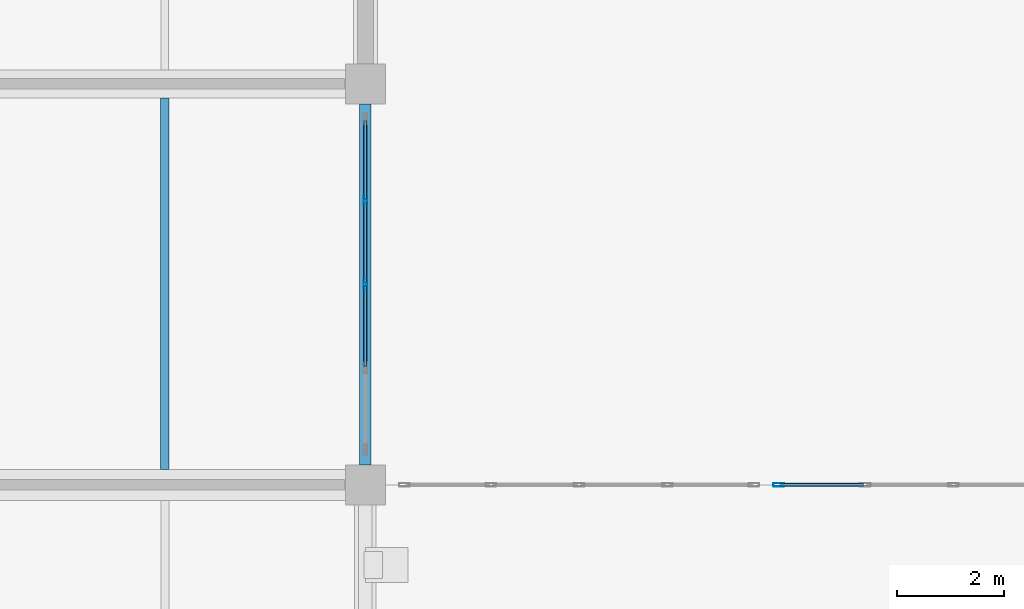
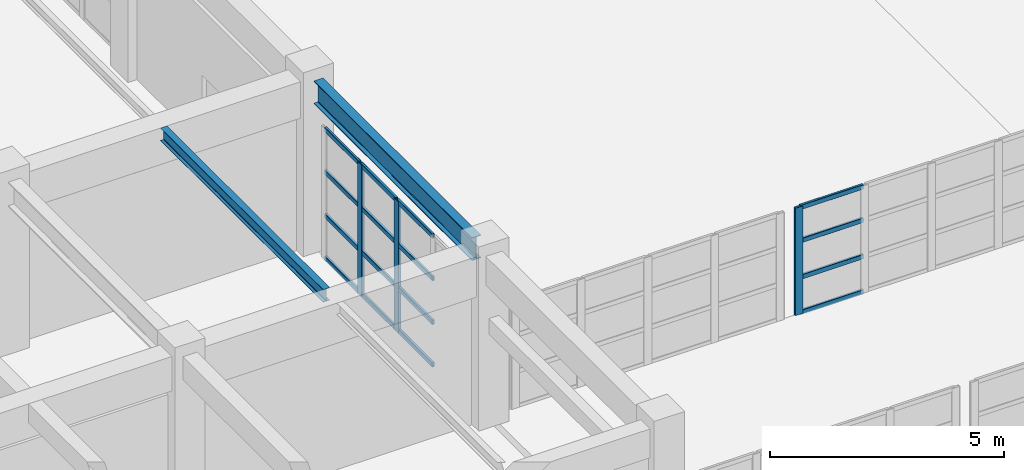
# One storey, part 38 of 122: 19 members, 2 beams, 2 elements without a shape of their own.
"""IFC4 building model written with IfcOpenShell, lengths in metres."""

from ifc_helpers import new_model, si_unit, direction, frame, origin, origin_2d, place, context, subcontext, project, spatial, hollow_rectangle, i_section, extrude, material, material_profile, profile_set, type_object, element, aggregate, save


model = new_model("IFC4")

# Units and contexts
model_context = context("Model", 3, precision=1e-05, world=origin(), true_north=direction((0.0, 1.0)))
body_context = subcontext(model_context, "Body", "Model", "MODEL_VIEW")
ifc_project = project(units=[si_unit("LENGTHUNIT", "METRE"), si_unit("AREAUNIT", "SQUARE_METRE"), si_unit("VOLUMEUNIT", "CUBIC_METRE"), si_unit("PLANEANGLEUNIT", "RADIAN"), si_unit("MASSUNIT", "GRAM", prefix="KILO")], contexts=[model_context])

# Site, building, storey
site_placement = place(None, origin())
site = spatial("IfcSite", under=ifc_project, at=site_placement, CompositionType="ELEMENT")
building_placement = place(site_placement, origin())
building = spatial("IfcBuilding", under=site, at=building_placement, Name="Qasida Concert Hall", CompositionType="ELEMENT")
storey_placement = place(building_placement, origin())
storey = spatial("IfcBuildingStorey", under=building, at=storey_placement, Name="L00", CompositionType="ELEMENT", Elevation=0.0)

# Beams
ifc_material_1 = material(Name="Steel S355J2", Category="steel")
ifc_material_profile_1 = material_profile(ifc_material_1, i_section(OverallWidth=0.159912109375, OverallDepth=0.330078125, WebThickness=0.007568359375, FlangeThickness=0.011474609375, FilletRadius=0.01806640625, at=origin_2d()), Name="IPE 330")
ifc_profile_set_1 = profile_set([ifc_material_profile_1], Name="Steel S355J2")
beam_type_1 = type_object("IfcBeamType", Name="BM-J5", PredefinedType="JOIST", material=ifc_profile_set_1)
beam_1_placement = place(storey_placement, frame((33.75, 82.7900390625, 4.3349609375), z_axis=(0.0, 1.0, 0.0), x_axis=(-1.0, 0.0, 0.0)))
element("IfcBeam", 1, at=beam_1_placement, inside=storey, type_object=beam_type_1, Name="L00 secondary joist 0756", PredefinedType="JOIST", context=body_context, shape_type="SweptSolid", body=[
    extrude(i_section(OverallWidth=0.159912109375, OverallDepth=0.330078125, WebThickness=0.007568359375, FlangeThickness=0.011474609375, FilletRadius=0.01806640625, at=origin_2d()), origin(), (0.0, 0.0, 1.0), 6.949951171875),
])
ifc_material_profile_2 = material_profile(ifc_material_1, i_section(OverallWidth=0.219970703125, OverallDepth=0.60009765625, WebThickness=0.011962890625, FlangeThickness=0.01904296875, FilletRadius=0.02392578125, at=origin_2d()), Name="IPE 600")
ifc_profile_set_2 = profile_set([ifc_material_profile_2], Name="Steel S355J2")
beam_type_2 = type_object("IfcBeamType", Name="BM-SP3", PredefinedType="SPANDREL", material=ifc_profile_set_2)
beam_2_placement = place(storey_placement, frame((37.5, 82.875, 4.199951171875), z_axis=(0.0, 1.0, 0.0), x_axis=(-1.0, 0.0, 0.0)))
element("IfcBeam", 2, at=beam_2_placement, inside=storey, type_object=beam_type_2, Name="L00 girder 0733", PredefinedType="SPANDREL", context=body_context, shape_type="SweptSolid", body=[
    extrude(i_section(OverallWidth=0.219970703125, OverallDepth=0.60009765625, WebThickness=0.011962890625, FlangeThickness=0.01904296875, FilletRadius=0.02392578125, at=origin_2d()), origin(), (0.0, 0.0, 1.0), 6.75),
])

# Curtain wall, members
ifc_material_2 = material(Name="Architectural bronze-anodized aluminium and low-E glass", Category="aluminium")
curtain_wall_type = type_object("IfcCurtainWallType", Name="CW-08", PredefinedType="NOTDEFINED", material=ifc_material_2)
curtain_wall_1_placement = place(storey_placement, origin())
curtain_wall_1 = element("IfcCurtainWall", 3, at=curtain_wall_1_placement, inside=storey, type_object=curtain_wall_type, Name="L00 curtain wall CW-08 0182", PredefinedType="NOTDEFINED")
ifc_material_3 = material(Name="Architectural bronze-anodized aluminium EN AW-6063", Category="aluminium")
ifc_material_profile_3 = material_profile(ifc_material_3, hollow_rectangle(XDim=0.06494140625, YDim=0.199951171875, WallThickness=0.0048828125, InnerFilletRadius=0.0048828125, OuterFilletRadius=0.010009765625, at=origin_2d()), Name="CWM 200x65x5")
ifc_profile_set_3 = profile_set([ifc_material_profile_3], Name="Architectural bronze-anodized aluminium EN AW-6063")
member_type_1 = type_object("IfcMemberType", Name="MB-CWM-2", PredefinedType="MULLION", material=ifc_profile_set_3)
member_1_placement = place(storey_placement, frame((37.5, 86.25, 0.0), z_axis=(0.0, 0.0, 1.0), x_axis=(-1.0, 0.0, 0.0)))
member_1 = element("IfcMember", 4, at=member_1_placement, type_object=member_type_1, Name="CW-08 mullion 3", PredefinedType="MULLION", context=body_context, shape_type="SweptSolid", body=[
    extrude(hollow_rectangle(XDim=0.06494140625, YDim=0.199951171875, WallThickness=0.0048828125, InnerFilletRadius=0.0048828125, OuterFilletRadius=0.010009765625, at=origin_2d()), origin(), (0.0, 0.0, 1.0), 3.419921875),
])
member_2_placement = place(storey_placement, frame((37.5, 87.81494140625, 0.0), z_axis=(0.0, 0.0, 1.0), x_axis=(-1.0, 0.0, 0.0)))
member_2 = element("IfcMember", 5, at=member_2_placement, type_object=member_type_1, Name="CW-08 mullion 4", PredefinedType="MULLION", context=body_context, shape_type="SweptSolid", body=[
    extrude(hollow_rectangle(XDim=0.06494140625, YDim=0.199951171875, WallThickness=0.0048828125, InnerFilletRadius=0.0048828125, OuterFilletRadius=0.010009765625, at=origin_2d()), origin(), (0.0, 0.0, 1.0), 3.419921875),
])

# Curtain wall, member
curtain_wall_2_placement = place(storey_placement, origin())
curtain_wall_2 = element("IfcCurtainWall", 6, at=curtain_wall_2_placement, inside=storey, type_object=curtain_wall_type, Name="L00 link bridge glazing 0213", PredefinedType="NOTDEFINED")
member_3_placement = place(storey_placement, frame((45.232421875, 82.5, 0.0), z_axis=(0.0, 0.0, 1.0), x_axis=(0.0, 1.0, 0.0)))
member_3 = element("IfcMember", 7, at=member_3_placement, type_object=member_type_1, Name="CW-08 mullion 1", PredefinedType="MULLION", context=body_context, shape_type="SweptSolid", body=[
    extrude(hollow_rectangle(XDim=0.06494140625, YDim=0.199951171875, WallThickness=0.0048828125, InnerFilletRadius=0.0048828125, OuterFilletRadius=0.010009765625, at=origin_2d()), origin(), (0.0, 0.0, 1.0), 2.800048828125),
])

# Member
ifc_material_profile_4 = material_profile(ifc_material_3, hollow_rectangle(XDim=0.06005859375, YDim=0.1201171875, WallThickness=0.00390625, InnerFilletRadius=0.00390625, OuterFilletRadius=0.008056640625, at=origin_2d()), Name="CWT 120x60x4")
ifc_profile_set_4 = profile_set([ifc_material_profile_4], Name="Architectural bronze-anodized aluminium EN AW-6063")
member_type_2 = type_object("IfcMemberType", Name="MB-CWT-2", PredefinedType="USERDEFINED", material=ifc_profile_set_4)
member_4_placement = place(storey_placement, frame((37.5, 84.717529296875, 0.030029296875), z_axis=(0.0, 1.0, 0.0), x_axis=(-1.0, 0.0, 0.0)))
member_4 = element("IfcMember", 8, at=member_4_placement, type_object=member_type_2, Name="CW-08 transom 2.1", ObjectType="TRANSOM", PredefinedType="USERDEFINED", context=body_context, shape_type="SweptSolid", body=[
    extrude(hollow_rectangle(XDim=0.06005859375, YDim=0.1201171875, WallThickness=0.00390625, InnerFilletRadius=0.00390625, OuterFilletRadius=0.008056640625, at=origin_2d()), origin(), (0.0, 0.0, 1.0), 1.5),
])

member_5_placement = place(storey_placement, frame((37.5, 84.717529296875, 1.139892578125), z_axis=(0.0, 1.0, 0.0), x_axis=(-1.0, 0.0, 0.0)))
member_5 = element("IfcMember", 9, at=member_5_placement, type_object=member_type_2, Name="CW-08 transom 2.2", ObjectType="TRANSOM", PredefinedType="USERDEFINED", context=body_context, shape_type="SweptSolid", body=[
    extrude(hollow_rectangle(XDim=0.06005859375, YDim=0.1201171875, WallThickness=0.00390625, InnerFilletRadius=0.00390625, OuterFilletRadius=0.008056640625, at=origin_2d()), origin(), (0.0, 0.0, 1.0), 1.5),
])

member_6_placement = place(storey_placement, frame((37.5, 84.717529296875, 2.280029296875), z_axis=(0.0, 1.0, 0.0), x_axis=(-1.0, 0.0, 0.0)))
member_6 = element("IfcMember", 10, at=member_6_placement, type_object=member_type_2, Name="CW-08 transom 2.3", ObjectType="TRANSOM", PredefinedType="USERDEFINED", context=body_context, shape_type="SweptSolid", body=[
    extrude(hollow_rectangle(XDim=0.06005859375, YDim=0.1201171875, WallThickness=0.00390625, InnerFilletRadius=0.00390625, OuterFilletRadius=0.008056640625, at=origin_2d()), origin(), (0.0, 0.0, 1.0), 1.5),
])

member_7_placement = place(storey_placement, frame((37.5, 84.717529296875, 3.389892578125), z_axis=(0.0, 1.0, 0.0), x_axis=(-1.0, 0.0, 0.0)))
member_7 = element("IfcMember", 11, at=member_7_placement, type_object=member_type_2, Name="CW-08 transom 2.4", ObjectType="TRANSOM", PredefinedType="USERDEFINED", context=body_context, shape_type="SweptSolid", body=[
    extrude(hollow_rectangle(XDim=0.06005859375, YDim=0.1201171875, WallThickness=0.00390625, InnerFilletRadius=0.00390625, OuterFilletRadius=0.008056640625, at=origin_2d()), origin(), (0.0, 0.0, 1.0), 1.5),
])

member_8_placement = place(storey_placement, frame((37.5, 86.282470703125, 0.030029296875), z_axis=(0.0, 1.0, 0.0), x_axis=(-1.0, 0.0, 0.0)))
member_8 = element("IfcMember", 12, at=member_8_placement, type_object=member_type_2, Name="CW-08 transom 3.1", ObjectType="TRANSOM", PredefinedType="USERDEFINED", context=body_context, shape_type="SweptSolid", body=[
    extrude(hollow_rectangle(XDim=0.06005859375, YDim=0.1201171875, WallThickness=0.00390625, InnerFilletRadius=0.00390625, OuterFilletRadius=0.008056640625, at=origin_2d()), origin(), (0.0, 0.0, 1.0), 1.5),
])

member_9_placement = place(storey_placement, frame((37.5, 86.282470703125, 1.139892578125), z_axis=(0.0, 1.0, 0.0), x_axis=(-1.0, 0.0, 0.0)))
member_9 = element("IfcMember", 13, at=member_9_placement, type_object=member_type_2, Name="CW-08 transom 3.2", ObjectType="TRANSOM", PredefinedType="USERDEFINED", context=body_context, shape_type="SweptSolid", body=[
    extrude(hollow_rectangle(XDim=0.06005859375, YDim=0.1201171875, WallThickness=0.00390625, InnerFilletRadius=0.00390625, OuterFilletRadius=0.008056640625, at=origin_2d()), origin(), (0.0, 0.0, 1.0), 1.5),
])

member_10_placement = place(storey_placement, frame((37.5, 86.282470703125, 2.280029296875), z_axis=(0.0, 1.0, 0.0), x_axis=(-1.0, 0.0, 0.0)))
member_10 = element("IfcMember", 14, at=member_10_placement, type_object=member_type_2, Name="CW-08 transom 3.3", ObjectType="TRANSOM", PredefinedType="USERDEFINED", context=body_context, shape_type="SweptSolid", body=[
    extrude(hollow_rectangle(XDim=0.06005859375, YDim=0.1201171875, WallThickness=0.00390625, InnerFilletRadius=0.00390625, OuterFilletRadius=0.008056640625, at=origin_2d()), origin(), (0.0, 0.0, 1.0), 1.5),
])

member_11_placement = place(storey_placement, frame((37.5, 86.282470703125, 3.389892578125), z_axis=(0.0, 1.0, 0.0), x_axis=(-1.0, 0.0, 0.0)))
member_11 = element("IfcMember", 15, at=member_11_placement, type_object=member_type_2, Name="CW-08 transom 3.4", ObjectType="TRANSOM", PredefinedType="USERDEFINED", context=body_context, shape_type="SweptSolid", body=[
    extrude(hollow_rectangle(XDim=0.06005859375, YDim=0.1201171875, WallThickness=0.00390625, InnerFilletRadius=0.00390625, OuterFilletRadius=0.008056640625, at=origin_2d()), origin(), (0.0, 0.0, 1.0), 1.5),
])

member_12_placement = place(storey_placement, frame((37.5, 87.847412109375, 0.030029296875), z_axis=(0.0, 1.0, 0.0), x_axis=(-1.0, 0.0, 0.0)))
member_12 = element("IfcMember", 16, at=member_12_placement, type_object=member_type_2, Name="CW-08 transom 4.1", ObjectType="TRANSOM", PredefinedType="USERDEFINED", context=body_context, shape_type="SweptSolid", body=[
    extrude(hollow_rectangle(XDim=0.06005859375, YDim=0.1201171875, WallThickness=0.00390625, InnerFilletRadius=0.00390625, OuterFilletRadius=0.008056640625, at=origin_2d()), origin(), (0.0, 0.0, 1.0), 1.467529296875),
])

member_13_placement = place(storey_placement, frame((37.5, 87.847412109375, 1.139892578125), z_axis=(0.0, 1.0, 0.0), x_axis=(-1.0, 0.0, 0.0)))
member_13 = element("IfcMember", 17, at=member_13_placement, type_object=member_type_2, Name="CW-08 transom 4.2", ObjectType="TRANSOM", PredefinedType="USERDEFINED", context=body_context, shape_type="SweptSolid", body=[
    extrude(hollow_rectangle(XDim=0.06005859375, YDim=0.1201171875, WallThickness=0.00390625, InnerFilletRadius=0.00390625, OuterFilletRadius=0.008056640625, at=origin_2d()), origin(), (0.0, 0.0, 1.0), 1.467529296875),
])

member_14_placement = place(storey_placement, frame((37.5, 87.847412109375, 2.280029296875), z_axis=(0.0, 1.0, 0.0), x_axis=(-1.0, 0.0, 0.0)))
member_14 = element("IfcMember", 18, at=member_14_placement, type_object=member_type_2, Name="CW-08 transom 4.3", ObjectType="TRANSOM", PredefinedType="USERDEFINED", context=body_context, shape_type="SweptSolid", body=[
    extrude(hollow_rectangle(XDim=0.06005859375, YDim=0.1201171875, WallThickness=0.00390625, InnerFilletRadius=0.00390625, OuterFilletRadius=0.008056640625, at=origin_2d()), origin(), (0.0, 0.0, 1.0), 1.467529296875),
])

member_15_placement = place(storey_placement, frame((37.5, 87.847412109375, 3.389892578125), z_axis=(0.0, 1.0, 0.0), x_axis=(-1.0, 0.0, 0.0)))
member_15 = element("IfcMember", 19, at=member_15_placement, type_object=member_type_2, Name="CW-08 transom 4.4", ObjectType="TRANSOM", PredefinedType="USERDEFINED", context=body_context, shape_type="SweptSolid", body=[
    extrude(hollow_rectangle(XDim=0.06005859375, YDim=0.1201171875, WallThickness=0.00390625, InnerFilletRadius=0.00390625, OuterFilletRadius=0.008056640625, at=origin_2d()), origin(), (0.0, 0.0, 1.0), 1.467529296875),
])

aggregate(curtain_wall_1, [member_1, member_2, member_4, member_5, member_6, member_7, member_8, member_9, member_10, member_11, member_12, member_13, member_14, member_15])

member_16_placement = place(storey_placement, frame((45.264892578125, 82.5, 0.030029296875), z_axis=(1.0, 0.0, 0.0), x_axis=(0.0, 1.0, 0.0)))
member_16 = element("IfcMember", 20, at=member_16_placement, type_object=member_type_2, Name="CW-08 transom 1.1", ObjectType="TRANSOM", PredefinedType="USERDEFINED", context=body_context, shape_type="SweptSolid", body=[
    extrude(hollow_rectangle(XDim=0.06005859375, YDim=0.1201171875, WallThickness=0.00390625, InnerFilletRadius=0.00390625, OuterFilletRadius=0.008056640625, at=origin_2d()), origin(), (0.0, 0.0, 1.0), 1.552490234375),
])

member_17_placement = place(storey_placement, frame((45.264892578125, 82.5, 0.949951171875), z_axis=(1.0, 0.0, 0.0), x_axis=(0.0, 1.0, 0.0)))
member_17 = element("IfcMember", 21, at=member_17_placement, type_object=member_type_2, Name="CW-08 transom 1.2", ObjectType="TRANSOM", PredefinedType="USERDEFINED", context=body_context, shape_type="SweptSolid", body=[
    extrude(hollow_rectangle(XDim=0.06005859375, YDim=0.1201171875, WallThickness=0.00390625, InnerFilletRadius=0.00390625, OuterFilletRadius=0.008056640625, at=origin_2d()), origin(), (0.0, 0.0, 1.0), 1.552490234375),
])

member_18_placement = place(storey_placement, frame((45.264892578125, 82.5, 1.89990234375), z_axis=(1.0, 0.0, 0.0), x_axis=(0.0, 1.0, 0.0)))
member_18 = element("IfcMember", 22, at=member_18_placement, type_object=member_type_2, Name="CW-08 transom 1.3", ObjectType="TRANSOM", PredefinedType="USERDEFINED", context=body_context, shape_type="SweptSolid", body=[
    extrude(hollow_rectangle(XDim=0.06005859375, YDim=0.1201171875, WallThickness=0.00390625, InnerFilletRadius=0.00390625, OuterFilletRadius=0.008056640625, at=origin_2d()), origin(), (0.0, 0.0, 1.0), 1.552490234375),
])

member_19_placement = place(storey_placement, frame((45.264892578125, 82.5, 2.77001953125), z_axis=(1.0, 0.0, 0.0), x_axis=(0.0, 1.0, 0.0)))
member_19 = element("IfcMember", 23, at=member_19_placement, type_object=member_type_2, Name="CW-08 transom 1.4", ObjectType="TRANSOM", PredefinedType="USERDEFINED", context=body_context, shape_type="SweptSolid", body=[
    extrude(hollow_rectangle(XDim=0.06005859375, YDim=0.1201171875, WallThickness=0.00390625, InnerFilletRadius=0.00390625, OuterFilletRadius=0.008056640625, at=origin_2d()), origin(), (0.0, 0.0, 1.0), 1.552490234375),
])

aggregate(curtain_wall_2, [member_3, member_16, member_17, member_18, member_19])

save(model, "model.ifc")
